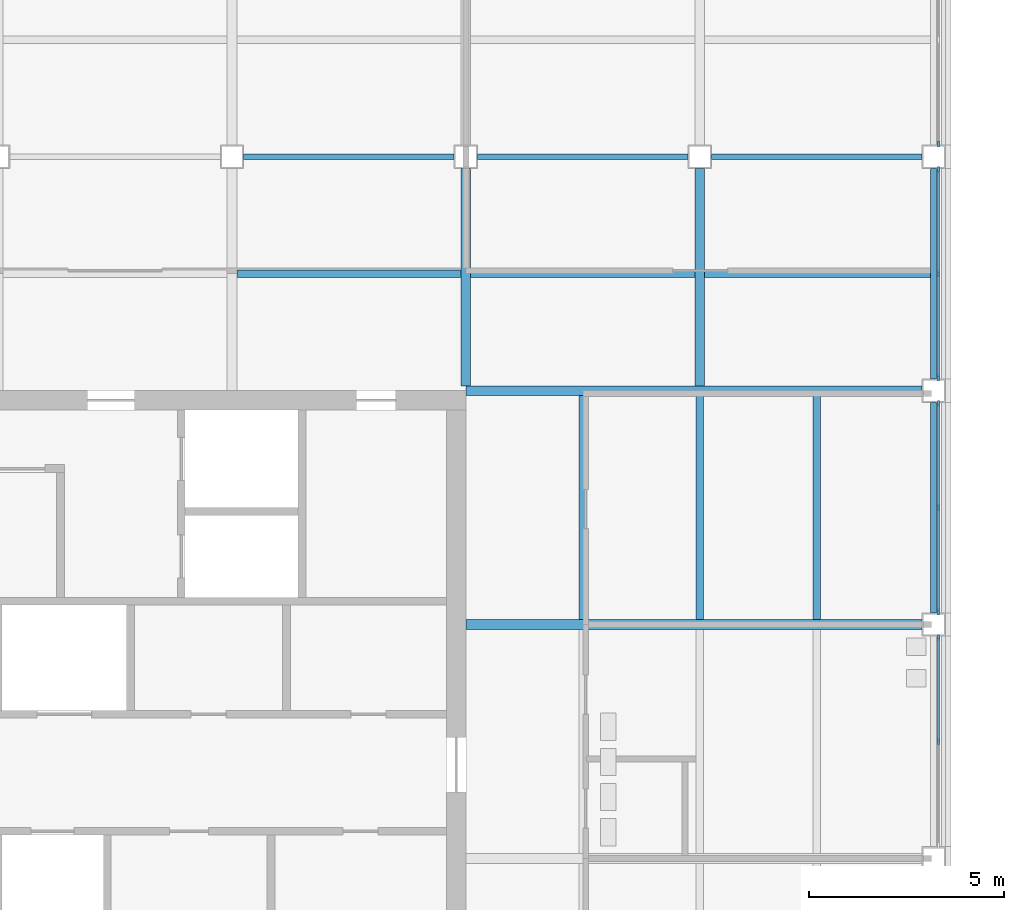
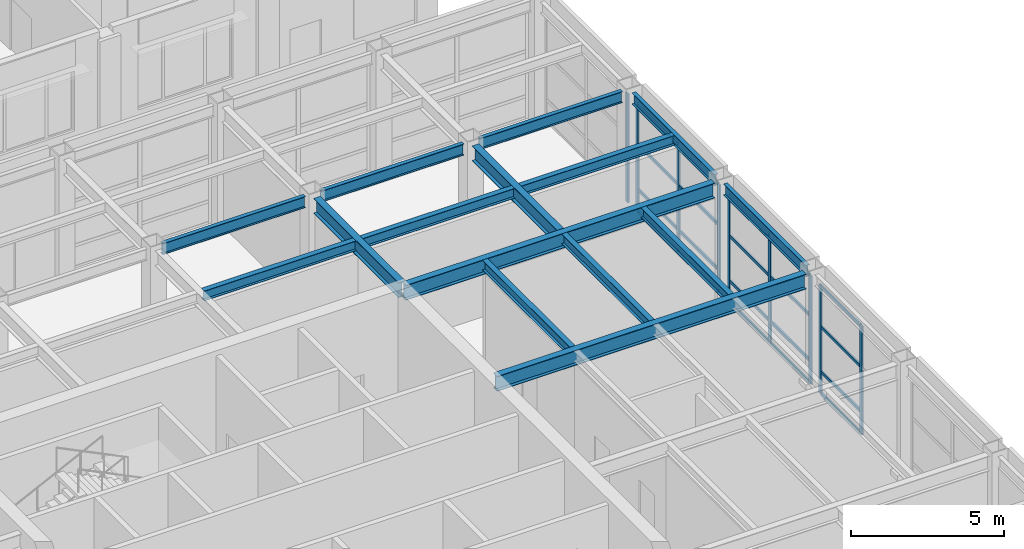
# One storey, part 21 of 77: 29 members, 15 beams, 4 elements without a shape of their own.
"""IFC4 building model written with IfcOpenShell, lengths in metres."""

from ifc_helpers import new_model, si_unit, direction, frame, origin, origin_2d, place, context, subcontext, project, spatial, rectangle, i_section, extrude, material, material_profile, profile_set, type_object, element, aggregate, save


model = new_model("IFC4")

# Units and contexts
model_context = context("Model", 3, precision=1e-05, world=origin(), true_north=direction((0.0, 1.0)))
body_context = subcontext(model_context, "Body", "Model", "MODEL_VIEW")
ifc_project = project(units=[si_unit("LENGTHUNIT", "METRE"), si_unit("AREAUNIT", "SQUARE_METRE"), si_unit("VOLUMEUNIT", "CUBIC_METRE"), si_unit("PLANEANGLEUNIT", "RADIAN"), si_unit("MASSUNIT", "GRAM", prefix="KILO")], contexts=[model_context])

# Site, building, storey
site_placement = place(None, origin())
site = spatial("IfcSite", under=ifc_project, at=site_placement, CompositionType="ELEMENT")
building_placement = place(site_placement, origin())
building = spatial("IfcBuilding", under=site, at=building_placement, Name="Aravalli Gate Trade Fair Centre", CompositionType="ELEMENT")
storey_placement = place(building_placement, origin())
storey = spatial("IfcBuildingStorey", under=building, at=storey_placement, Name="L00", CompositionType="ELEMENT", Elevation=0.0)

# Beams
ifc_material_1 = material(Name="Steel E350", Category="steel")
ifc_material_profile_1 = material_profile(ifc_material_1, i_section(OverallWidth=0.25, OverallDepth=0.60009765625, WebThickness=0.01123046875, FlangeThickness=0.021240234375, at=origin_2d()), Name="ISWB 600")
ifc_profile_set_1 = profile_set([ifc_material_profile_1], Name="Steel E350")
beam_type_1 = type_object("IfcBeamType", Name="Wing core to perimeter girder ISWB 600 (podium floors)", PredefinedType="BEAM", material=ifc_profile_set_1)
for number, where, z_axis, x_axis, name in (
    (1, (190.0, 115.0, 4.5), (1.0, 0.0, 0.0), (0.0, 1.0, 0.0), "Core to perimeter girder PE2 L01"),
    (2, (190.0, 121.0, 4.5), (1.0, 0.0, 0.0), (0.0, 1.0, 0.0), "Core to perimeter girder PE3 L01"),
):
    element("IfcBeam", number, at=place(storey_placement, frame(where, z_axis=z_axis, x_axis=x_axis)), inside=storey, type_object=beam_type_1, Name=name, PredefinedType="BEAM", context=body_context, shape_type="SweptSolid", body=[
        extrude(i_section(OverallWidth=0.25, OverallDepth=0.60009765625, WebThickness=0.01123046875, FlangeThickness=0.021240234375, at=origin_2d()), origin(), (0.0, 0.0, 1.0), 11.699951171875),
    ])
beam_1_placement = place(storey_placement, frame((190.0, 121.125, 4.5), z_axis=(0.0, 1.0, 0.0), x_axis=(-1.0, 0.0, 0.0)))
element("IfcBeam", 3, at=beam_1_placement, inside=storey, type_object=beam_type_1, Name="Core to perimeter girder PN3a L01", PredefinedType="BEAM", context=body_context, shape_type="SweptSolid", body=[
    extrude(i_section(OverallWidth=0.25, OverallDepth=0.60009765625, WebThickness=0.01123046875, FlangeThickness=0.021240234375, at=origin_2d()), origin(), (0.0, 0.0, 1.0), 5.574951171875),
])
ifc_material_profile_2 = material_profile(ifc_material_1, i_section(OverallWidth=0.25, OverallDepth=0.60009765625, WebThickness=0.01123046875, FlangeThickness=0.021240234375, at=origin_2d()), Name="ISWB 600")
ifc_profile_set_2 = profile_set([ifc_material_profile_2], Name="Steel E350")
beam_type_2 = type_object("IfcBeamType", Name="Wing corner transfer girder ISWB 600 (podium floors)", PredefinedType="BEAM", material=ifc_profile_set_2)
beam_2_placement = place(storey_placement, frame((196.0, 121.125, 4.5), z_axis=(0.0, 1.0, 0.0), x_axis=(-1.0, 0.0, 0.0)))
element("IfcBeam", 4, at=beam_2_placement, inside=storey, type_object=beam_type_2, Name="Corner transfer girder CNEya L01", PredefinedType="BEAM", context=body_context, shape_type="SweptSolid", body=[
    extrude(i_section(OverallWidth=0.25, OverallDepth=0.60009765625, WebThickness=0.01123046875, FlangeThickness=0.021240234375, at=origin_2d()), origin(), (0.0, 0.0, 1.0), 5.574951171875),
])

# Curtain wall, members
ifc_material_2 = material(Name="Aluminium and glass", Category="aluminium")
curtain_wall_type = type_object("IfcCurtainWallType", Name="Wing curtain wall", PredefinedType="NOTDEFINED", material=ifc_material_2)
curtain_wall_1_placement = place(storey_placement, origin())
curtain_wall_1 = element("IfcCurtainWall", 5, at=curtain_wall_1_placement, inside=storey, type_object=curtain_wall_type, Name="Curtain wall E3 L00", PredefinedType="NOTDEFINED")
ifc_material_3 = material(Name="Aluminium", Category="aluminium")
ifc_material_profile_3 = material_profile(ifc_material_3, rectangle(XDim=0.06005859375, YDim=0.159912109375, at=origin_2d()), Name="Wing curtain wall mullion 60 x 160")
ifc_profile_set_3 = profile_set([ifc_material_profile_3], Name="Aluminium")
member_type_1 = type_object("IfcMemberType", Name="Wing curtain wall mullion 60 x 160", PredefinedType="MULLION", material=ifc_profile_set_3)
member_1_placement = place(storey_placement, frame((202.125, 112.0, 0.0), z_axis=(0.0, 0.0, 1.0), x_axis=(-1.0, 0.0, 0.0)))
member_1 = element("IfcMember", 6, at=member_1_placement, type_object=member_type_1, Name="TCW1 mullion 2", PredefinedType="MULLION", context=body_context, shape_type="SweptSolid", body=[
    extrude(rectangle(XDim=0.06005859375, YDim=0.159912109375, at=origin_2d()), origin(), (0.0, 0.0, 1.0), 4.35009765625),
])
member_2_placement = place(storey_placement, frame((202.125, 114.669921875, 0.0), z_axis=(0.0, 0.0, 1.0), x_axis=(-1.0, 0.0, 0.0)))
member_2 = element("IfcMember", 7, at=member_2_placement, type_object=member_type_1, Name="TCW1 mullion 3", PredefinedType="MULLION", context=body_context, shape_type="SweptSolid", body=[
    extrude(rectangle(XDim=0.06005859375, YDim=0.159912109375, at=origin_2d()), origin(), (0.0, 0.0, 1.0), 4.35009765625),
])

curtain_wall_2_placement = place(storey_placement, origin())
curtain_wall_2 = element("IfcCurtainWall", 8, at=curtain_wall_2_placement, inside=storey, type_object=curtain_wall_type, Name="Curtain wall E4 L00", PredefinedType="NOTDEFINED")
member_3_placement = place(storey_placement, frame((202.125, 115.330078125, 0.0), z_axis=(0.0, 0.0, 1.0), x_axis=(-1.0, 0.0, 0.0)))
member_3 = element("IfcMember", 9, at=member_3_placement, type_object=member_type_1, Name="TCW1 mullion 1", PredefinedType="MULLION", context=body_context, shape_type="SweptSolid", body=[
    extrude(rectangle(XDim=0.06005859375, YDim=0.159912109375, at=origin_2d()), origin(), (0.0, 0.0, 1.0), 4.35009765625),
])
member_4_placement = place(storey_placement, frame((202.125, 118.0, 0.0), z_axis=(0.0, 0.0, 1.0), x_axis=(-1.0, 0.0, 0.0)))
member_4 = element("IfcMember", 10, at=member_4_placement, type_object=member_type_1, Name="TCW1 mullion 2", PredefinedType="MULLION", context=body_context, shape_type="SweptSolid", body=[
    extrude(rectangle(XDim=0.06005859375, YDim=0.159912109375, at=origin_2d()), origin(), (0.0, 0.0, 1.0), 4.35009765625),
])
member_5_placement = place(storey_placement, frame((202.125, 120.669921875, 0.0), z_axis=(0.0, 0.0, 1.0), x_axis=(-1.0, 0.0, 0.0)))
member_5 = element("IfcMember", 11, at=member_5_placement, type_object=member_type_1, Name="TCW1 mullion 3", PredefinedType="MULLION", context=body_context, shape_type="SweptSolid", body=[
    extrude(rectangle(XDim=0.06005859375, YDim=0.159912109375, at=origin_2d()), origin(), (0.0, 0.0, 1.0), 4.35009765625),
])

curtain_wall_3_placement = place(storey_placement, origin())
curtain_wall_3 = element("IfcCurtainWall", 12, at=curtain_wall_3_placement, inside=storey, type_object=curtain_wall_type, Name="Curtain wall E5 L00", PredefinedType="NOTDEFINED")
member_6_placement = place(storey_placement, frame((202.125, 121.330078125, 0.0), z_axis=(0.0, 0.0, 1.0), x_axis=(-1.0, 0.0, 0.0)))
member_6 = element("IfcMember", 13, at=member_6_placement, type_object=member_type_1, Name="TCW1 mullion 1", PredefinedType="MULLION", context=body_context, shape_type="SweptSolid", body=[
    extrude(rectangle(XDim=0.06005859375, YDim=0.159912109375, at=origin_2d()), origin(), (0.0, 0.0, 1.0), 4.35009765625),
])
member_7_placement = place(storey_placement, frame((202.125, 124.0, 0.0), z_axis=(0.0, 0.0, 1.0), x_axis=(-1.0, 0.0, 0.0)))
member_7 = element("IfcMember", 14, at=member_7_placement, type_object=member_type_1, Name="TCW1 mullion 2", PredefinedType="MULLION", context=body_context, shape_type="SweptSolid", body=[
    extrude(rectangle(XDim=0.06005859375, YDim=0.159912109375, at=origin_2d()), origin(), (0.0, 0.0, 1.0), 4.35009765625),
])
member_8_placement = place(storey_placement, frame((202.125, 126.669921875, 0.0), z_axis=(0.0, 0.0, 1.0), x_axis=(-1.0, 0.0, 0.0)))
member_8 = element("IfcMember", 15, at=member_8_placement, type_object=member_type_1, Name="TCW1 mullion 3", PredefinedType="MULLION", context=body_context, shape_type="SweptSolid", body=[
    extrude(rectangle(XDim=0.06005859375, YDim=0.159912109375, at=origin_2d()), origin(), (0.0, 0.0, 1.0), 4.35009765625),
])

# Curtain wall, member
curtain_wall_4_placement = place(storey_placement, origin())
curtain_wall_4 = element("IfcCurtainWall", 16, at=curtain_wall_4_placement, inside=storey, type_object=curtain_wall_type, Name="Curtain wall E6 L00", PredefinedType="NOTDEFINED")
member_9_placement = place(storey_placement, frame((202.125, 127.330078125, 0.0), z_axis=(0.0, 0.0, 1.0), x_axis=(-1.0, 0.0, 0.0)))
member_9 = element("IfcMember", 17, at=member_9_placement, type_object=member_type_1, Name="TCW1 mullion 1", PredefinedType="MULLION", context=body_context, shape_type="SweptSolid", body=[
    extrude(rectangle(XDim=0.06005859375, YDim=0.159912109375, at=origin_2d()), origin(), (0.0, 0.0, 1.0), 4.35009765625),
])
aggregate(curtain_wall_4, [member_9])

# Member
ifc_material_profile_4 = material_profile(ifc_material_3, rectangle(XDim=0.06005859375, YDim=0.1201171875, at=origin_2d()), Name="Wing curtain wall transom 60 x 120")
ifc_profile_set_4 = profile_set([ifc_material_profile_4], Name="Aluminium")
member_type_2 = type_object("IfcMemberType", Name="Wing curtain wall transom 60 x 120", PredefinedType="USERDEFINED", material=ifc_profile_set_4)
member_10_placement = place(storey_placement, frame((202.125, 112.030029296875, 0.030029296875), z_axis=(0.0, 1.0, 0.0), x_axis=(-1.0, 0.0, 0.0)))
member_10 = element("IfcMember", 18, at=member_10_placement, type_object=member_type_2, Name="TCW1 transom 2.1", ObjectType="TRANSOM", PredefinedType="USERDEFINED", context=body_context, shape_type="SweptSolid", body=[
    extrude(rectangle(XDim=0.06005859375, YDim=0.1201171875, at=origin_2d()), origin(), (0.0, 0.0, 1.0), 2.60986328125),
])

member_11_placement = place(storey_placement, frame((202.125, 112.030029296875, 0.89990234375), z_axis=(0.0, 1.0, 0.0), x_axis=(-1.0, 0.0, 0.0)))
member_11 = element("IfcMember", 19, at=member_11_placement, type_object=member_type_2, Name="TCW1 transom 2.2", ObjectType="TRANSOM", PredefinedType="USERDEFINED", context=body_context, shape_type="SweptSolid", body=[
    extrude(rectangle(XDim=0.06005859375, YDim=0.1201171875, at=origin_2d()), origin(), (0.0, 0.0, 1.0), 2.60986328125),
])

member_12_placement = place(storey_placement, frame((202.125, 112.030029296875, 2.699951171875), z_axis=(0.0, 1.0, 0.0), x_axis=(-1.0, 0.0, 0.0)))
member_12 = element("IfcMember", 20, at=member_12_placement, type_object=member_type_2, Name="TCW1 transom 2.3", ObjectType="TRANSOM", PredefinedType="USERDEFINED", context=body_context, shape_type="SweptSolid", body=[
    extrude(rectangle(XDim=0.06005859375, YDim=0.1201171875, at=origin_2d()), origin(), (0.0, 0.0, 1.0), 2.60986328125),
])

member_13_placement = place(storey_placement, frame((202.125, 112.030029296875, 4.320068359375), z_axis=(0.0, 1.0, 0.0), x_axis=(-1.0, 0.0, 0.0)))
member_13 = element("IfcMember", 21, at=member_13_placement, type_object=member_type_2, Name="TCW1 transom 2.4", ObjectType="TRANSOM", PredefinedType="USERDEFINED", context=body_context, shape_type="SweptSolid", body=[
    extrude(rectangle(XDim=0.06005859375, YDim=0.1201171875, at=origin_2d()), origin(), (0.0, 0.0, 1.0), 2.60986328125),
])

aggregate(curtain_wall_1, [member_1, member_2, member_10, member_11, member_12, member_13])

member_14_placement = place(storey_placement, frame((202.125, 115.360107421875, 0.030029296875), z_axis=(0.0, 1.0, 0.0), x_axis=(-1.0, 0.0, 0.0)))
member_14 = element("IfcMember", 22, at=member_14_placement, type_object=member_type_2, Name="TCW1 transom 1.1", ObjectType="TRANSOM", PredefinedType="USERDEFINED", context=body_context, shape_type="SweptSolid", body=[
    extrude(rectangle(XDim=0.06005859375, YDim=0.1201171875, at=origin_2d()), origin(), (0.0, 0.0, 1.0), 2.60986328125),
])

member_15_placement = place(storey_placement, frame((202.125, 115.360107421875, 0.89990234375), z_axis=(0.0, 1.0, 0.0), x_axis=(-1.0, 0.0, 0.0)))
member_15 = element("IfcMember", 23, at=member_15_placement, type_object=member_type_2, Name="TCW1 transom 1.2", ObjectType="TRANSOM", PredefinedType="USERDEFINED", context=body_context, shape_type="SweptSolid", body=[
    extrude(rectangle(XDim=0.06005859375, YDim=0.1201171875, at=origin_2d()), origin(), (0.0, 0.0, 1.0), 2.60986328125),
])

member_16_placement = place(storey_placement, frame((202.125, 115.360107421875, 2.699951171875), z_axis=(0.0, 1.0, 0.0), x_axis=(-1.0, 0.0, 0.0)))
member_16 = element("IfcMember", 24, at=member_16_placement, type_object=member_type_2, Name="TCW1 transom 1.3", ObjectType="TRANSOM", PredefinedType="USERDEFINED", context=body_context, shape_type="SweptSolid", body=[
    extrude(rectangle(XDim=0.06005859375, YDim=0.1201171875, at=origin_2d()), origin(), (0.0, 0.0, 1.0), 2.60986328125),
])

member_17_placement = place(storey_placement, frame((202.125, 115.360107421875, 4.320068359375), z_axis=(0.0, 1.0, 0.0), x_axis=(-1.0, 0.0, 0.0)))
member_17 = element("IfcMember", 25, at=member_17_placement, type_object=member_type_2, Name="TCW1 transom 1.4", ObjectType="TRANSOM", PredefinedType="USERDEFINED", context=body_context, shape_type="SweptSolid", body=[
    extrude(rectangle(XDim=0.06005859375, YDim=0.1201171875, at=origin_2d()), origin(), (0.0, 0.0, 1.0), 2.60986328125),
])

member_18_placement = place(storey_placement, frame((202.125, 118.030029296875, 0.030029296875), z_axis=(0.0, 1.0, 0.0), x_axis=(-1.0, 0.0, 0.0)))
member_18 = element("IfcMember", 26, at=member_18_placement, type_object=member_type_2, Name="TCW1 transom 2.1", ObjectType="TRANSOM", PredefinedType="USERDEFINED", context=body_context, shape_type="SweptSolid", body=[
    extrude(rectangle(XDim=0.06005859375, YDim=0.1201171875, at=origin_2d()), origin(), (0.0, 0.0, 1.0), 2.60986328125),
])

member_19_placement = place(storey_placement, frame((202.125, 118.030029296875, 0.89990234375), z_axis=(0.0, 1.0, 0.0), x_axis=(-1.0, 0.0, 0.0)))
member_19 = element("IfcMember", 27, at=member_19_placement, type_object=member_type_2, Name="TCW1 transom 2.2", ObjectType="TRANSOM", PredefinedType="USERDEFINED", context=body_context, shape_type="SweptSolid", body=[
    extrude(rectangle(XDim=0.06005859375, YDim=0.1201171875, at=origin_2d()), origin(), (0.0, 0.0, 1.0), 2.60986328125),
])

member_20_placement = place(storey_placement, frame((202.125, 118.030029296875, 2.699951171875), z_axis=(0.0, 1.0, 0.0), x_axis=(-1.0, 0.0, 0.0)))
member_20 = element("IfcMember", 28, at=member_20_placement, type_object=member_type_2, Name="TCW1 transom 2.3", ObjectType="TRANSOM", PredefinedType="USERDEFINED", context=body_context, shape_type="SweptSolid", body=[
    extrude(rectangle(XDim=0.06005859375, YDim=0.1201171875, at=origin_2d()), origin(), (0.0, 0.0, 1.0), 2.60986328125),
])

member_21_placement = place(storey_placement, frame((202.125, 118.030029296875, 4.320068359375), z_axis=(0.0, 1.0, 0.0), x_axis=(-1.0, 0.0, 0.0)))
member_21 = element("IfcMember", 29, at=member_21_placement, type_object=member_type_2, Name="TCW1 transom 2.4", ObjectType="TRANSOM", PredefinedType="USERDEFINED", context=body_context, shape_type="SweptSolid", body=[
    extrude(rectangle(XDim=0.06005859375, YDim=0.1201171875, at=origin_2d()), origin(), (0.0, 0.0, 1.0), 2.60986328125),
])

aggregate(curtain_wall_2, [member_3, member_4, member_5, member_14, member_15, member_16, member_17, member_18, member_19, member_20, member_21])

member_22_placement = place(storey_placement, frame((202.125, 121.360107421875, 0.030029296875), z_axis=(0.0, 1.0, 0.0), x_axis=(-1.0, 0.0, 0.0)))
member_22 = element("IfcMember", 30, at=member_22_placement, type_object=member_type_2, Name="TCW1 transom 1.1", ObjectType="TRANSOM", PredefinedType="USERDEFINED", context=body_context, shape_type="SweptSolid", body=[
    extrude(rectangle(XDim=0.06005859375, YDim=0.1201171875, at=origin_2d()), origin(), (0.0, 0.0, 1.0), 2.60986328125),
])

member_23_placement = place(storey_placement, frame((202.125, 121.360107421875, 0.89990234375), z_axis=(0.0, 1.0, 0.0), x_axis=(-1.0, 0.0, 0.0)))
member_23 = element("IfcMember", 31, at=member_23_placement, type_object=member_type_2, Name="TCW1 transom 1.2", ObjectType="TRANSOM", PredefinedType="USERDEFINED", context=body_context, shape_type="SweptSolid", body=[
    extrude(rectangle(XDim=0.06005859375, YDim=0.1201171875, at=origin_2d()), origin(), (0.0, 0.0, 1.0), 2.60986328125),
])

member_24_placement = place(storey_placement, frame((202.125, 121.360107421875, 2.699951171875), z_axis=(0.0, 1.0, 0.0), x_axis=(-1.0, 0.0, 0.0)))
member_24 = element("IfcMember", 32, at=member_24_placement, type_object=member_type_2, Name="TCW1 transom 1.3", ObjectType="TRANSOM", PredefinedType="USERDEFINED", context=body_context, shape_type="SweptSolid", body=[
    extrude(rectangle(XDim=0.06005859375, YDim=0.1201171875, at=origin_2d()), origin(), (0.0, 0.0, 1.0), 2.60986328125),
])

member_25_placement = place(storey_placement, frame((202.125, 121.360107421875, 4.320068359375), z_axis=(0.0, 1.0, 0.0), x_axis=(-1.0, 0.0, 0.0)))
member_25 = element("IfcMember", 33, at=member_25_placement, type_object=member_type_2, Name="TCW1 transom 1.4", ObjectType="TRANSOM", PredefinedType="USERDEFINED", context=body_context, shape_type="SweptSolid", body=[
    extrude(rectangle(XDim=0.06005859375, YDim=0.1201171875, at=origin_2d()), origin(), (0.0, 0.0, 1.0), 2.60986328125),
])

member_26_placement = place(storey_placement, frame((202.125, 124.030029296875, 0.030029296875), z_axis=(0.0, 1.0, 0.0), x_axis=(-1.0, 0.0, 0.0)))
member_26 = element("IfcMember", 34, at=member_26_placement, type_object=member_type_2, Name="TCW1 transom 2.1", ObjectType="TRANSOM", PredefinedType="USERDEFINED", context=body_context, shape_type="SweptSolid", body=[
    extrude(rectangle(XDim=0.06005859375, YDim=0.1201171875, at=origin_2d()), origin(), (0.0, 0.0, 1.0), 2.60986328125),
])

member_27_placement = place(storey_placement, frame((202.125, 124.030029296875, 0.89990234375), z_axis=(0.0, 1.0, 0.0), x_axis=(-1.0, 0.0, 0.0)))
member_27 = element("IfcMember", 35, at=member_27_placement, type_object=member_type_2, Name="TCW1 transom 2.2", ObjectType="TRANSOM", PredefinedType="USERDEFINED", context=body_context, shape_type="SweptSolid", body=[
    extrude(rectangle(XDim=0.06005859375, YDim=0.1201171875, at=origin_2d()), origin(), (0.0, 0.0, 1.0), 2.60986328125),
])

member_28_placement = place(storey_placement, frame((202.125, 124.030029296875, 2.699951171875), z_axis=(0.0, 1.0, 0.0), x_axis=(-1.0, 0.0, 0.0)))
member_28 = element("IfcMember", 36, at=member_28_placement, type_object=member_type_2, Name="TCW1 transom 2.3", ObjectType="TRANSOM", PredefinedType="USERDEFINED", context=body_context, shape_type="SweptSolid", body=[
    extrude(rectangle(XDim=0.06005859375, YDim=0.1201171875, at=origin_2d()), origin(), (0.0, 0.0, 1.0), 2.60986328125),
])

member_29_placement = place(storey_placement, frame((202.125, 124.030029296875, 4.320068359375), z_axis=(0.0, 1.0, 0.0), x_axis=(-1.0, 0.0, 0.0)))
member_29 = element("IfcMember", 37, at=member_29_placement, type_object=member_type_2, Name="TCW1 transom 2.4", ObjectType="TRANSOM", PredefinedType="USERDEFINED", context=body_context, shape_type="SweptSolid", body=[
    extrude(rectangle(XDim=0.06005859375, YDim=0.1201171875, at=origin_2d()), origin(), (0.0, 0.0, 1.0), 2.60986328125),
])

aggregate(curtain_wall_3, [member_6, member_7, member_8, member_22, member_23, member_24, member_25, member_26, member_27, member_28, member_29])

# Beams
ifc_material_profile_5 = material_profile(ifc_material_1, i_section(OverallWidth=0.14990234375, OverallDepth=0.449951171875, WebThickness=0.009521484375, FlangeThickness=0.017333984375, at=origin_2d()), Name="ISMB 450")
ifc_profile_set_5 = profile_set([ifc_material_profile_5], Name="Steel E350")
beam_type_3 = type_object("IfcBeamType", Name="Wing perimeter beam ISMB 450 (podium floors)", PredefinedType="BEAM", material=ifc_profile_set_5)
for number, where, z_axis, x_axis, name in (
    (38, (184.300048828125, 127.0, 4.574951171875), (1.0, 0.0, 0.0), (0.0, 1.0, 0.0), "Perimeter beam EQ4 L01"),
    (39, (190.300048828125, 127.0, 4.574951171875), (1.0, 0.0, 0.0), (0.0, 1.0, 0.0), "Perimeter beam EQ5 L01"),
    (40, (196.300048828125, 127.0, 4.574951171875), (1.0, 0.0, 0.0), (0.0, 1.0, 0.0), "Perimeter beam EQ6 L01"),
    (41, (202.0, 115.300048828125, 4.574951171875), (0.0, 1.0, 0.0), (-1.0, 0.0, 0.0), "Perimeter beam EE4 L01"),
    (42, (202.0, 121.300048828125, 4.574951171875), (0.0, 1.0, 0.0), (-1.0, 0.0, 0.0), "Perimeter beam EE5 L01"),
):
    element("IfcBeam", number, at=place(storey_placement, frame(where, z_axis=z_axis, x_axis=x_axis)), inside=storey, type_object=beam_type_3, Name=name, PredefinedType="BEAM", context=body_context, shape_type="SweptSolid", body=[
        extrude(i_section(OverallWidth=0.14990234375, OverallDepth=0.449951171875, WebThickness=0.009521484375, FlangeThickness=0.017333984375, at=origin_2d()), origin(), (0.0, 0.0, 1.0), 5.39990234375),
    ])
ifc_material_profile_6 = material_profile(ifc_material_1, i_section(OverallWidth=0.199951171875, OverallDepth=0.39990234375, WebThickness=0.008544921875, FlangeThickness=0.012939453125, at=origin_2d()), Name="ISWB 400")
ifc_profile_set_6 = profile_set([ifc_material_profile_6], Name="Steel E350")
beam_type_4 = type_object("IfcBeamType", Name="Wing secondary beam ISWB 400 (podium floors)", PredefinedType="BEAM", material=ifc_profile_set_6)
beam_3_placement = place(storey_placement, frame((190.125, 124.0, 4.60009765625), z_axis=(1.0, 0.0, 0.0), x_axis=(0.0, 1.0, 0.0)))
element("IfcBeam", 43, at=beam_3_placement, inside=storey, type_object=beam_type_4, Name="Secondary beam KEN00 L01", PredefinedType="BEAM", context=body_context, shape_type="SweptSolid", body=[
    extrude(i_section(OverallWidth=0.199951171875, OverallDepth=0.39990234375, WebThickness=0.008544921875, FlangeThickness=0.012939453125, at=origin_2d()), origin(), (0.0, 0.0, 1.0), 5.75),
])
beam_4_placement = place(storey_placement, frame((196.125, 124.0, 4.60009765625), z_axis=(1.0, 0.0, 0.0), x_axis=(0.0, 1.0, 0.0)))
element("IfcBeam", 44, at=beam_4_placement, inside=storey, type_object=beam_type_4, Name="Secondary beam KEN01 L01", PredefinedType="BEAM", context=body_context, shape_type="SweptSolid", body=[
    extrude(i_section(OverallWidth=0.199951171875, OverallDepth=0.39990234375, WebThickness=0.008544921875, FlangeThickness=0.012939453125, at=origin_2d()), origin(), (0.0, 0.0, 1.0), 5.800048828125),
])
for number, where, z_axis, x_axis, name in (
    (45, (193.0, 115.125, 4.60009765625), (0.0, 1.0, 0.0), (-1.0, 0.0, 0.0), "Secondary beam BE2193 L01"),
    (46, (196.0, 115.125, 4.60009765625), (0.0, 1.0, 0.0), (-1.0, 0.0, 0.0), "Secondary beam BE2196 L01"),
    (47, (199.0, 115.125, 4.60009765625), (0.0, 1.0, 0.0), (-1.0, 0.0, 0.0), "Secondary beam BE2199 L01"),
    (48, (184.125, 124.0, 4.60009765625), (1.0, 0.0, 0.0), (0.0, 1.0, 0.0), "Secondary beam BN2124 L01"),
):
    element("IfcBeam", number, at=place(storey_placement, frame(where, z_axis=z_axis, x_axis=x_axis)), inside=storey, type_object=beam_type_4, Name=name, PredefinedType="BEAM", context=body_context, shape_type="SweptSolid", body=[
        extrude(i_section(OverallWidth=0.199951171875, OverallDepth=0.39990234375, WebThickness=0.008544921875, FlangeThickness=0.012939453125, at=origin_2d()), origin(), (0.0, 0.0, 1.0), 5.75),
    ])

save(model, "model.ifc")
